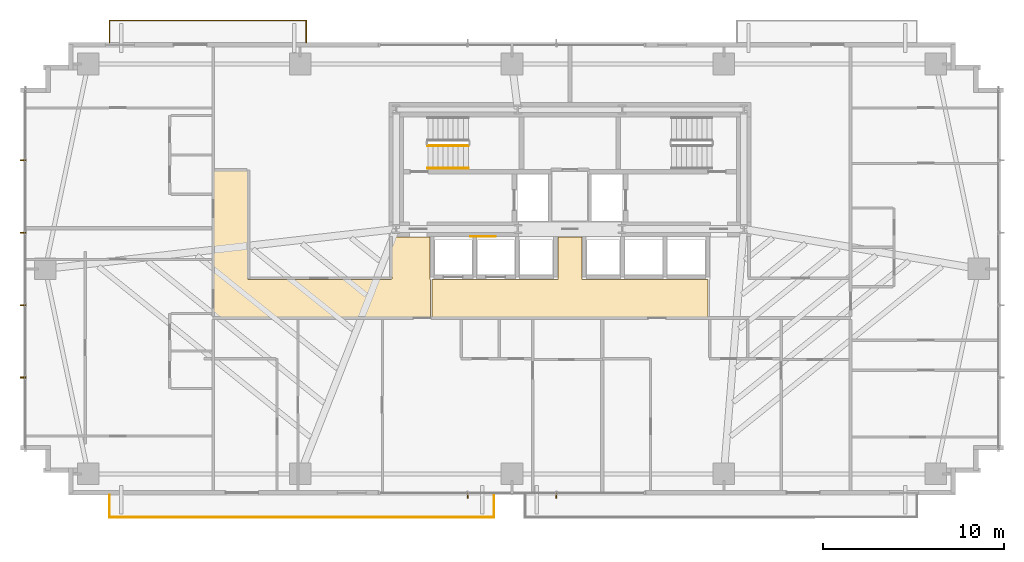
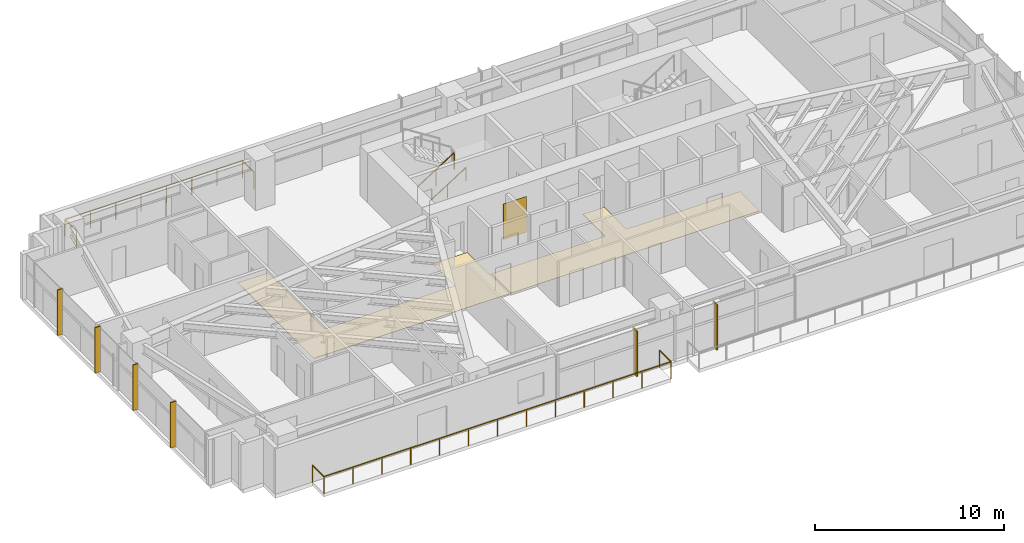
# One storey, part 23 of 25: 6 shading devices, 4 railings, 3 coverings.
"""IFC4 building model written with IfcOpenShell, lengths in metres."""

from ifc_helpers import new_model, si_unit, direction, frame, origin, origin_2d, place, context, subcontext, project, spatial, polyline, rectangle, outline, extrude, source, transform, mapped, material, layer, layer_set, type_object, type_shapes, element, save


model = new_model("IFC4")

# Units and contexts
model_context = context("Model", 3, precision=1e-05, world=origin(), true_north=direction((0.0, 1.0)))
body_context = subcontext(model_context, "Body", "Model", "MODEL_VIEW")
ifc_project = project(units=[si_unit("LENGTHUNIT", "METRE"), si_unit("AREAUNIT", "SQUARE_METRE"), si_unit("VOLUMEUNIT", "CUBIC_METRE"), si_unit("PLANEANGLEUNIT", "RADIAN"), si_unit("MASSUNIT", "GRAM", prefix="KILO")], contexts=[model_context])

# Site, building, storey
site_placement = place(None, origin())
site = spatial("IfcSite", under=ifc_project, at=site_placement, CompositionType="ELEMENT")
building_placement = place(site_placement, origin())
building = spatial("IfcBuilding", under=site, at=building_placement, Name="Astriad Promenade Condominiums", CompositionType="ELEMENT")
storey_placement = place(building_placement, frame((0.0, 0.0, 39.0)))
storey = spatial("IfcBuildingStorey", under=building, at=storey_placement, Name="L10", CompositionType="ELEMENT", Elevation=39.0)

# Coverings
ifc_material_1 = material(Name="Polished Lakefront Terrazzo Flooring")
ifc_layer_1 = layer(ifc_material_1, 0.02001953125)
ifc_layer_set_1 = layer_set([ifc_layer_1], Name="Polished Lakefront Terrazzo Flooring")
covering_type_1 = type_object("IfcCoveringType", Name="COV-FLOR-TERRAZZO-20", PredefinedType="FLOORING", material=ifc_layer_set_1)
covering_1_placement = place(storey_placement, origin())
element("IfcCovering", 1, at=covering_1_placement, inside=storey, type_object=covering_type_1, Name="FLR-L10-LLB", PredefinedType="FLOORING", context=body_context, shape_type="SweptSolid", body=[
    extrude(outline(polyline([(43.610107421875, 14.610107421875), (43.610107421875, 12.530029296875), (28.389892578125, 12.530029296875), (28.389892578125, 14.610107421875), (35.300048828125, 14.610107421875), (35.303955078125, 14.610107421875), (35.307861328125, 14.61083984375), (35.3115234375, 14.61181640625), (35.315185546875, 14.613037109375), (35.31884765625, 14.61474609375), (35.322265625, 14.61669921875), (35.325439453125, 14.619140625), (35.328369140625, 14.62158203125), (35.330810546875, 14.62451171875), (35.333251953125, 14.627685546875), (35.335205078125, 14.631103515625), (35.3369140625, 14.634765625), (35.33837890625, 14.638427734375), (35.339111328125, 14.64208984375), (35.33984375, 14.64599609375), (35.340087890625, 14.64990234375), (35.340087890625, 16.9599609375), (36.659912109375, 16.9599609375), (36.659912109375, 14.64990234375), (36.66015625, 14.64599609375), (36.660888671875, 14.64208984375), (36.66162109375, 14.638427734375), (36.6630859375, 14.634765625), (36.664794921875, 14.631103515625), (36.666748046875, 14.627685546875), (36.669189453125, 14.62451171875), (36.671630859375, 14.62158203125), (36.674560546875, 14.619140625), (36.677734375, 14.61669921875), (36.68115234375, 14.61474609375), (36.684814453125, 14.613037109375), (36.6884765625, 14.61181640625), (36.692138671875, 14.61083984375), (36.696044921875, 14.610107421875), (36.699951171875, 14.610107421875), (43.610107421875, 14.610107421875)])), origin(), (0.0, 0.0, 1.0), 0.02001953125),
])
covering_2_placement = place(storey_placement, origin())
element("IfcCovering", 2, at=covering_2_placement, inside=storey, type_object=covering_type_1, Name="FLR-L10-COR-2", PredefinedType="FLOORING", context=body_context, shape_type="SweptSolid", body=[
    extrude(outline(polyline([(28.300048828125, 12.530029296875), (16.340087890625, 12.530029296875), (16.340087890625, 20.610107421875), (18.2099609375, 20.610107421875), (18.2099609375, 14.659912109375), (18.210205078125, 14.656005859375), (18.210693359375, 14.652099609375), (18.211669921875, 14.6484375), (18.212890625, 14.644775390625), (18.214599609375, 14.64111328125), (18.216796875, 14.6376953125), (18.218994140625, 14.634521484375), (18.2216796875, 14.631591796875), (18.224609375, 14.629150390625), (18.227783203125, 14.626708984375), (18.231201171875, 14.624755859375), (18.234619140625, 14.623046875), (18.23828125, 14.62158203125), (18.2421875, 14.620849609375), (18.24609375, 14.6201171875), (18.25, 14.6201171875), (26.1201171875, 14.6201171875), (26.123779296875, 14.6201171875), (26.127685546875, 14.620849609375), (26.131591796875, 14.62158203125), (26.13525390625, 14.623046875), (26.138916015625, 14.624755859375), (26.14208984375, 14.626708984375), (26.1455078125, 14.629150390625), (26.148193359375, 14.631591796875), (26.15087890625, 14.634521484375), (26.1533203125, 14.6376953125), (26.1552734375, 14.64111328125), (26.156982421875, 14.644775390625), (26.158203125, 14.6484375), (26.1591796875, 14.652099609375), (26.159912109375, 14.656005859375), (26.159912109375, 14.659912109375), (26.159912109375, 16.9599609375), (28.260009765625, 16.9599609375), (28.260009765625, 14.64990234375), (28.26025390625, 14.64599609375), (28.2607421875, 14.64208984375), (28.26171875, 14.638427734375), (28.262939453125, 14.634765625), (28.2646484375, 14.631103515625), (28.2666015625, 14.627685546875), (28.26904296875, 14.62451171875), (28.271728515625, 14.62158203125), (28.274658203125, 14.619140625), (28.27783203125, 14.61669921875), (28.281005859375, 14.61474609375), (28.28466796875, 14.613037109375), (28.288330078125, 14.61181640625), (28.292236328125, 14.61083984375), (28.296142578125, 14.610107421875), (28.300048828125, 14.610107421875), (28.300048828125, 12.530029296875)])), origin(), (0.0, 0.0, 1.0), 0.02001953125),
])

# Shading devices
ifc_material_2 = material(Name="Anodised aluminium 6063-T6 Black Fin", Category="aluminium")
shading_device_type = type_object("IfcShadingDeviceType", Name="FIN-BLACK-320", PredefinedType="USERDEFINED", material=ifc_material_2)
shared_shape_1 = source(origin(), body_context, "Body", "SweptSolid", [
    extrude(rectangle(XDim=0.06494140625, YDim=0.320068359375, at=origin_2d()), origin(), (0.0, 0.0, 1.0), 2.93994140625),
])
type_shapes(shading_device_type, [shared_shape_1])
for number, where, z_axis, x_axis, name in (
    (3, (5.7900390625, 9.199951171875, 0.0), (0.0, 0.0, 1.0), (0.0, 1.0, 0.0), "CW-L10-W-FIN-01"),
    (4, (5.7900390625, 13.199951171875, 0.0), (0.0, 0.0, 1.0), (0.0, 1.0, 0.0), "CW-L10-W-FIN-02"),
    (5, (5.7900390625, 17.199951171875, 0.0), (0.0, 0.0, 1.0), (0.0, 1.0, 0.0), "CW-L10-W-FIN-03"),
    (6, (5.7900390625, 21.199951171875, 0.0), (0.0, 0.0, 1.0), (0.0, 1.0, 0.0), "CW-L10-W-FIN-04"),
    (7, (35.25, 2.68994140625, 0.0), (0.0, 0.0, 1.0), (-1.0, 0.0, 0.0), "CW-L10-S-FIN-01"),
    (8, (30.35009765625, 2.68994140625, 0.0), (0.0, 0.0, 1.0), (-1.0, 0.0, 0.0), "CW-L10-S-FIN-02"),
):
    element("IfcShadingDevice", number, at=place(storey_placement, frame(where, z_axis=z_axis, x_axis=x_axis)), inside=storey, type_object=shading_device_type, Name=name, ObjectType="FIN", PredefinedType="USERDEFINED", context=body_context, shape_type="MappedRepresentation", body=[
        mapped(shared_shape_1, transform((0.0, 0.0, 0.0), scale=1.0)),
    ])

# Railings
ifc_material_3 = material(Name="Laminated Glass and Stainless Steel Balustrade", Category="steel")
railing_type_1 = type_object("IfcRailingType", Name="GRD-BALC-1120", PredefinedType="BALUSTRADE", material=ifc_material_3)
shared_shape_2 = source(origin(), body_context, "Body", "SweptSolid", [
    extrude(rectangle(XDim=0.048095703125, YDim=0.048095703125, at=origin_2d()), frame((0.0, 0.0, 1.09619140625), z_axis=(0.0, -1.0, 0.0), x_axis=(1.0, 0.0, 0.0)), (0.0, 0.0, 1.0), 1.219970703125),
    extrude(rectangle(XDim=0.048095703125, YDim=0.048095703125, at=origin_2d()), frame((0.0, -1.219970703125, 1.09619140625), z_axis=(1.0, 0.0, 0.0), x_axis=(0.0, 1.0, 0.0)), (0.0, 0.0, 1.0), 21.23291015625),
    extrude(rectangle(XDim=0.048095703125, YDim=0.048095703125, at=origin_2d()), frame((21.23291015625, -1.219970703125, 1.09619140625), z_axis=(0.0, 1.0, 0.0), x_axis=(-1.0, 0.0, 0.0)), (0.0, 0.0, 1.0), 1.219970703125),
    extrude(rectangle(XDim=0.0419921875, YDim=0.0419921875, at=origin_2d()), origin(), (0.0, 0.0, 1.0), 1.072021484375),
    extrude(rectangle(XDim=0.0419921875, YDim=0.0419921875, at=origin_2d()), frame((0.0, -1.219970703125, 0.0)), (0.0, 0.0, 1.0), 1.072021484375),
    extrude(rectangle(XDim=0.0419921875, YDim=0.0419921875, at=origin_2d()), frame((1.76953125, -1.219970703125, 0.0)), (0.0, 0.0, 1.0), 1.072021484375),
    extrude(rectangle(XDim=0.0419921875, YDim=0.0419921875, at=origin_2d()), frame((3.538818359375, -1.219970703125, 0.0)), (0.0, 0.0, 1.0), 1.072021484375),
    extrude(rectangle(XDim=0.0419921875, YDim=0.0419921875, at=origin_2d()), frame((5.30810546875, -1.219970703125, 0.0)), (0.0, 0.0, 1.0), 1.072021484375),
    extrude(rectangle(XDim=0.0419921875, YDim=0.0419921875, at=origin_2d()), frame((7.07763671875, -1.219970703125, 0.0)), (0.0, 0.0, 1.0), 1.072021484375),
    extrude(rectangle(XDim=0.0419921875, YDim=0.0419921875, at=origin_2d()), frame((8.84716796875, -1.219970703125, 0.0)), (0.0, 0.0, 1.0), 1.072021484375),
    extrude(rectangle(XDim=0.0419921875, YDim=0.0419921875, at=origin_2d()), frame((10.616455078125, -1.219970703125, 0.0)), (0.0, 0.0, 1.0), 1.072021484375),
    extrude(rectangle(XDim=0.0419921875, YDim=0.0419921875, at=origin_2d()), frame((12.3857421875, -1.219970703125, 0.0)), (0.0, 0.0, 1.0), 1.072021484375),
    extrude(rectangle(XDim=0.0419921875, YDim=0.0419921875, at=origin_2d()), frame((14.1552734375, -1.219970703125, 0.0)), (0.0, 0.0, 1.0), 1.072021484375),
    extrude(rectangle(XDim=0.0419921875, YDim=0.0419921875, at=origin_2d()), frame((15.9248046875, -1.219970703125, 0.0)), (0.0, 0.0, 1.0), 1.072021484375),
    extrude(rectangle(XDim=0.0419921875, YDim=0.0419921875, at=origin_2d()), frame((17.694091796875, -1.219970703125, 0.0)), (0.0, 0.0, 1.0), 1.072021484375),
    extrude(rectangle(XDim=0.0419921875, YDim=0.0419921875, at=origin_2d()), frame((19.46337890625, -1.219970703125, 0.0)), (0.0, 0.0, 1.0), 1.072021484375),
    extrude(rectangle(XDim=0.0419921875, YDim=0.0419921875, at=origin_2d()), frame((21.23291015625, -1.219970703125, 0.0)), (0.0, 0.0, 1.0), 1.072021484375),
    extrude(rectangle(XDim=0.0419921875, YDim=0.0419921875, at=origin_2d()), frame((21.23291015625, 0.0, 0.0)), (0.0, 0.0, 1.0), 1.072021484375),
])
railing_1_placement = place(storey_placement, frame((10.572998046875, 2.699951171875, 0.0)))
element("IfcRailing", 9, at=railing_1_placement, inside=storey, type_object=railing_type_1, Name="GRD-BALC-L10-SW", PredefinedType="BALUSTRADE", context=body_context, shape_type="MappedRepresentation", body=[
    mapped(shared_shape_2, transform((0.0, 0.0, 0.0), scale=1.0)),
])
shared_shape_3 = source(origin(), body_context, "Body", "SweptSolid", [
    extrude(rectangle(XDim=0.048095703125, YDim=0.048095703125, at=origin_2d()), frame((0.0, 0.0, 1.09619140625), z_axis=(0.0, 1.0, 0.0), x_axis=(-1.0, 0.0, 0.0)), (0.0, 0.0, 1.0), 1.219970703125),
    extrude(rectangle(XDim=0.048095703125, YDim=0.048095703125, at=origin_2d()), frame((0.0, 1.219970703125, 1.09619140625), z_axis=(-1.0, 0.0, 0.0), x_axis=(0.0, -1.0, 0.0)), (0.0, 0.0, 1.0), 10.85693359375),
    extrude(rectangle(XDim=0.048095703125, YDim=0.048095703125, at=origin_2d()), frame((-10.85693359375, 1.219970703125, 1.09619140625), z_axis=(0.0, -1.0, 0.0), x_axis=(1.0, 0.0, 0.0)), (0.0, 0.0, 1.0), 1.219970703125),
    extrude(rectangle(XDim=0.0419921875, YDim=0.0419921875, at=origin_2d()), origin(), (0.0, 0.0, 1.0), 1.072021484375),
    extrude(rectangle(XDim=0.0419921875, YDim=0.0419921875, at=origin_2d()), frame((0.0, 1.219970703125, 0.0)), (0.0, 0.0, 1.0), 1.072021484375),
    extrude(rectangle(XDim=0.0419921875, YDim=0.0419921875, at=origin_2d()), frame((-1.551025390625, 1.219970703125, 0.0)), (0.0, 0.0, 1.0), 1.072021484375),
    extrude(rectangle(XDim=0.0419921875, YDim=0.0419921875, at=origin_2d()), frame((-3.10205078125, 1.219970703125, 0.0)), (0.0, 0.0, 1.0), 1.072021484375),
    extrude(rectangle(XDim=0.0419921875, YDim=0.0419921875, at=origin_2d()), frame((-4.653076171875, 1.219970703125, 0.0)), (0.0, 0.0, 1.0), 1.072021484375),
    extrude(rectangle(XDim=0.0419921875, YDim=0.0419921875, at=origin_2d()), frame((-6.203857421875, 1.219970703125, 0.0)), (0.0, 0.0, 1.0), 1.072021484375),
    extrude(rectangle(XDim=0.0419921875, YDim=0.0419921875, at=origin_2d()), frame((-7.7548828125, 1.219970703125, 0.0)), (0.0, 0.0, 1.0), 1.072021484375),
    extrude(rectangle(XDim=0.0419921875, YDim=0.0419921875, at=origin_2d()), frame((-9.305908203125, 1.219970703125, 0.0)), (0.0, 0.0, 1.0), 1.072021484375),
    extrude(rectangle(XDim=0.0419921875, YDim=0.0419921875, at=origin_2d()), frame((-10.85693359375, 1.219970703125, 0.0)), (0.0, 0.0, 1.0), 1.072021484375),
    extrude(rectangle(XDim=0.0419921875, YDim=0.0419921875, at=origin_2d()), frame((-10.85693359375, 0.0, 0.0)), (0.0, 0.0, 1.0), 1.072021484375),
])
type_shapes(railing_type_1, [shared_shape_2, shared_shape_3])
railing_2_placement = place(storey_placement, frame((21.429931640625, 27.699951171875, 0.0)))
element("IfcRailing", 10, at=railing_2_placement, inside=storey, type_object=railing_type_1, Name="GRD-BALC-L10-NW", PredefinedType="BALUSTRADE", context=body_context, shape_type="MappedRepresentation", body=[
    mapped(shared_shape_3, transform((0.0, 0.0, 0.0), scale=1.0)),
])
ifc_material_4 = material(Name="Painted Galvanised Steel Guardrail", Category="steel")
railing_type_2 = type_object("IfcRailingType", Name="GRD-STAIR-1100", PredefinedType="GUARDRAIL", material=ifc_material_4)
shared_shape_4 = source(origin(), body_context, "Body", "SweptSolid", [
    extrude(rectangle(XDim=0.048095703125, YDim=0.048095703125, at=origin_2d()), frame((0.0, 0.0, 1.076171875), z_axis=(0.84418770128, 0.0, 0.536047689118), x_axis=(0.0, 1.0, 0.0)), (0.0, 0.0, 1.0), 2.6533203125),
    extrude(rectangle(XDim=0.0419921875, YDim=0.0419921875, at=origin_2d()), origin(), (0.0, 0.0, 1.0), 1.052001953125),
    extrude(rectangle(XDim=0.0419921875, YDim=0.0419921875, at=origin_2d()), frame((1.1201171875, 0.0, 0.711181640625)), (0.0, 0.0, 1.0), 1.052001953125),
    extrude(rectangle(XDim=0.0419921875, YDim=0.0419921875, at=origin_2d()), frame((2.239990234375, 0.0, 1.42236328125)), (0.0, 0.0, 1.0), 1.052001953125),
])
type_shapes(railing_type_2, [shared_shape_4])
railing_3_placement = place(storey_placement, frame((28.14990234375, 22.0, 0.177734375)))
element("IfcRailing", 11, at=railing_3_placement, inside=storey, type_object=railing_type_2, Name="L10 ST-1 stair guard 1", PredefinedType="GUARDRAIL", context=body_context, shape_type="MappedRepresentation", body=[
    mapped(shared_shape_4, transform((0.0, 0.0, 0.0), scale=1.0)),
])
ifc_material_5 = material(Name="Brushed Stainless Steel Handrail", Category="steel")
railing_type_3 = type_object("IfcRailingType", Name="HRL-STAIR-920", PredefinedType="HANDRAIL", material=ifc_material_5)
shared_shape_5 = source(origin(), body_context, "Body", "SweptSolid", [
    extrude(rectangle(XDim=0.048095703125, YDim=0.048095703125, at=origin_2d()), frame((0.0, 0.0, 0.8759765625), z_axis=(0.84418770128, 0.0, 0.536047689118), x_axis=(0.0, 1.0, 0.0)), (0.0, 0.0, 1.0), 2.6533203125),
    extrude(rectangle(XDim=0.0419921875, YDim=0.0419921875, at=origin_2d()), origin(), (0.0, 0.0, 1.0), 0.851806640625),
    extrude(rectangle(XDim=0.0419921875, YDim=0.0419921875, at=origin_2d()), frame((1.1201171875, 0.0, 0.711181640625)), (0.0, 0.0, 1.0), 0.851806640625),
    extrude(rectangle(XDim=0.0419921875, YDim=0.0419921875, at=origin_2d()), frame((2.239990234375, 0.0, 1.42236328125)), (0.0, 0.0, 1.0), 0.851806640625),
])
type_shapes(railing_type_3, [shared_shape_5])
railing_4_placement = place(storey_placement, frame((28.14990234375, 20.75, 0.177734375)))
element("IfcRailing", 12, at=railing_4_placement, inside=storey, type_object=railing_type_3, Name="L10 ST-1 stair handrail 1", PredefinedType="HANDRAIL", context=body_context, shape_type="MappedRepresentation", body=[
    mapped(shared_shape_5, transform((0.0, 0.0, 0.0), scale=1.0)),
])

# Covering
ifc_material_6 = material(Name="Fire-Retardant Acoustic Oak Wall Cladding")
ifc_layer_2 = layer(ifc_material_6, 0.02490234375)
ifc_layer_set_2 = layer_set([ifc_layer_2], Name="Fire-Retardant Acoustic Oak Wall Cladding")
covering_type_2 = type_object("IfcCoveringType", Name="COV-CLAD-TIMBER-25", PredefinedType="CLADDING", material=ifc_layer_set_2)
shared_shape_6 = source(origin(), body_context, "Body", "SweptSolid", [
    extrude(rectangle(XDim=1.39990234375, YDim=0.02490234375, at=origin_2d()), origin(), (0.0, 0.0, 1.0), 2.300048828125),
])
type_shapes(covering_type_2, [shared_shape_6])
covering_3_placement = place(storey_placement, frame((31.199951171875, 16.991455078125, 0.0498046875), z_axis=(0.0, 0.0, 1.0), x_axis=(1.0, 0.0, 0.0)))
element("IfcCovering", 13, at=covering_3_placement, inside=storey, type_object=covering_type_2, Name="CLAD-LOB-L10", PredefinedType="CLADDING", context=body_context, shape_type="MappedRepresentation", body=[
    mapped(shared_shape_6, transform((0.0, 0.0, 0.0), scale=1.0)),
])

save(model, "model.ifc")
